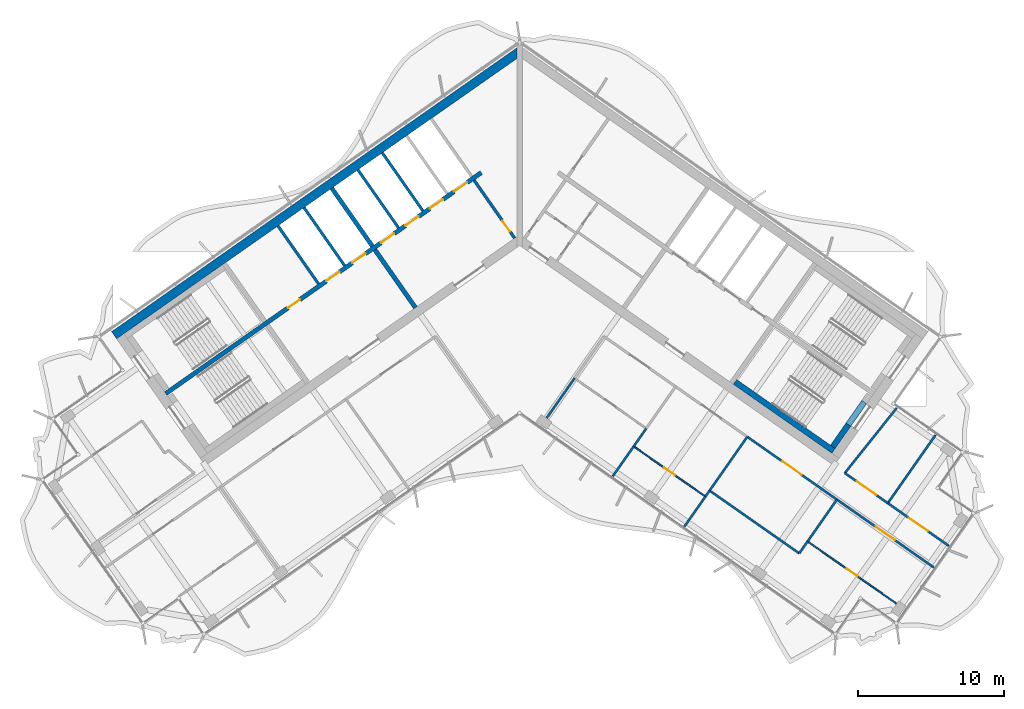
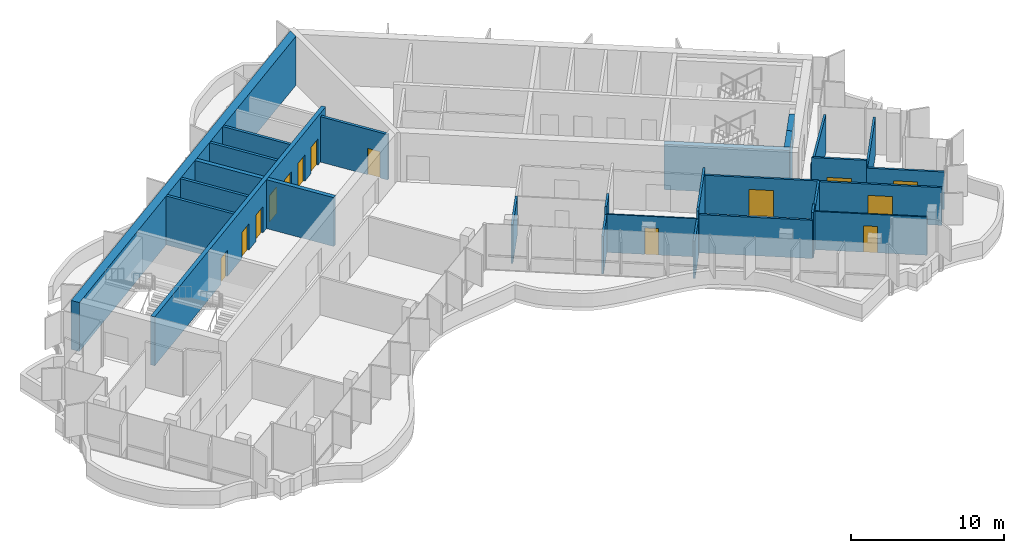
# One storey, part 10 of 18: 29 walls, 14 doors, 14 openings.
"""IFC4 building model written with IfcOpenShell, lengths in metres."""

from ifc_helpers import new_model, si_unit, direction, frame, frame_2d, origin, place, context, subcontext, project, spatial, polyline, rectangle, outline, extrude, material, layer, layer_set, type_object, element, fill, save


model = new_model("IFC4")

# Units and contexts
model_context = context("Model", 3, precision=1e-05, world=origin(), true_north=direction((0.0, 1.0)))
body_context = subcontext(model_context, "Body", "Model", "MODEL_VIEW")
ifc_project = project(units=[si_unit("LENGTHUNIT", "METRE"), si_unit("AREAUNIT", "SQUARE_METRE"), si_unit("VOLUMEUNIT", "CUBIC_METRE"), si_unit("PLANEANGLEUNIT", "RADIAN"), si_unit("MASSUNIT", "GRAM", prefix="KILO")], contexts=[model_context])

# Site, building, storey
site_placement = place(None, origin())
site = spatial("IfcSite", under=ifc_project, at=site_placement, CompositionType="ELEMENT")
building_placement = place(site_placement, origin())
building = spatial("IfcBuilding", under=site, at=building_placement, Name="Tel Ilan Convention Tower", CompositionType="ELEMENT")
storey_placement = place(building_placement, frame((0.0, 0.0, 260.5)))
storey = spatial("IfcBuildingStorey", under=building, at=storey_placement, Name="L61", CompositionType="ELEMENT", Elevation=260.5)

# Wall, opening, door
ifc_material_1 = material(Name="Concrete C30/37", Category="concrete")
ifc_layer_1 = layer(ifc_material_1, 0.199951171875)
ifc_layer_set_1 = layer_set([ifc_layer_1], Name="Core Service Room Wall 200 mm C30/37")
wall_type_1 = type_object("IfcWallType", Name="Core Service Room Wall 200 mm C30/37", PredefinedType="SOLIDWALL", material=ifc_layer_set_1)
wall_1_placement = place(storey_placement, frame((-0.343994140625, -0.729248046875, 0.0), z_axis=(0.0, 0.0, 1.0), x_axis=(-0.573560315113, 0.819163332265, 0.0)))
wall_1 = element("IfcWall", 1, at=wall_1_placement, inside=storey, type_object=wall_type_1, Name="L61 core wall apex-W", PredefinedType="SOLIDWALL", context=body_context, shape_type="SweptSolid", body=[
    extrude(rectangle(XDim=4.849853515625, YDim=0.199951171875, at=frame_2d((2.4248046875, 0.0))), origin(), (0.0, 0.0, 1.0), 3.6201171875),
])
opening_1_placement = place(wall_1_placement, frame((0.550048828125, 0.0, 0.0)))
opening_1 = element("IfcOpeningElement", 2, at=opening_1_placement, cuts=wall_1, Name="Opening CD4602", PredefinedType="OPENING", context=body_context, shape_type="SweptSolid", body=[
    extrude(rectangle(XDim=0.89990234375, YDim=2.10009765625, at=frame_2d((0.449951171875, 1.050048828125))), frame((0.0, 0.10986328125, 0.0), z_axis=(0.0, -1.0, 0.0), x_axis=(1.0, 0.0, 0.0)), (0.0, 0.0, 1.0), 0.219970703125),
])
ifc_material_2 = material(Name="Galvanised Steel Door Leaf", Category="steel")
door_type_1 = type_object("IfcDoorType", Name="Service Room Door 900 x 2100 FD60", OperationType="NOTDEFINED", PredefinedType="DOOR", material=ifc_material_2)
door_1_placement = place(opening_1_placement, origin())
door_1 = element("IfcDoor", 3, at=door_1_placement, inside=storey, type_object=door_type_1, Name="Electrical Room door", OperationType="SINGLE_SWING_RIGHT", OverallHeight=2.10009765625, OverallWidth=0.89990234375, PredefinedType="DOOR", context=body_context, shape_type="SweptSolid", body=[
    extrude(rectangle(XDim=0.89990234375, YDim=2.10009765625, at=frame_2d((0.449951171875, 1.050048828125))), frame((0.0, 0.02490234375, 0.0), z_axis=(0.0, -1.0, 0.0), x_axis=(1.0, 0.0, 0.0)), (0.0, 0.0, 1.0), 0.050048828125),
])
fill(opening_1, door_1)

# Walls
ifc_material_3 = material(Name="Concrete C40/50", Category="concrete")
ifc_layer_2 = layer(ifc_material_3, 0.300048828125)
ifc_layer_set_2 = layer_set([ifc_layer_2], Name="Core Shear Wall 300 mm C40/50")
wall_type_2 = type_object("IfcWallType", Name="Core Shear Wall 300 mm C40/50", PredefinedType="SHEAR", material=ifc_layer_set_2)
wall_2_placement = place(storey_placement, frame((-7.142822265625, -5.48974609375, 0.0), z_axis=(0.0, 0.0, 1.0), x_axis=(-0.573617744349, 0.819123118565, 0.0)))
element("IfcWall", 4, at=wall_2_placement, inside=storey, type_object=wall_type_2, Name="L61 core wall W-cross1-1", PredefinedType="SHEAR", context=body_context, shape_type="SweptSolid", body=[
    extrude(outline(polyline([(4.85009765625, 0.14990234375), (0.0, 0.150146484375), (0.0, -0.14990234375), (4.85009765625, -0.150146484375), (4.85009765625, 0.14990234375)])), origin(), (0.0, 0.0, 1.0), 3.89990234375),
])
wall_3_placement = place(storey_placement, frame((-10.096923828125, -1.271240234375, 0.0), z_axis=(0.0, 0.0, 1.0), x_axis=(-0.573560315113, 0.819163332265, 0.0)))
element("IfcWall", 5, at=wall_3_placement, inside=storey, type_object=wall_type_2, Name="L61 core wall W-cross1-2", PredefinedType="SHEAR", context=body_context, shape_type="SweptSolid", body=[
    extrude(outline(polyline([(4.849853515625, -0.14990234375), (4.849853515625, 0.150146484375), (0.0, 0.14990234375), (0.0, -0.150146484375), (4.849853515625, -0.14990234375)])), origin(), (0.0, 0.0, 1.0), 3.89990234375),
])

# Wall, openings, doors
wall_4_placement = place(storey_placement, frame((-2.638427734375, 3.76806640625, 0.0), z_axis=(0.0, 0.0, 1.0), x_axis=(-0.819155014212, -0.573572194837, 0.0)))
wall_4 = element("IfcWall", 6, at=wall_4_placement, inside=storey, type_object=wall_type_2, Name="L61 core wall W-spine", PredefinedType="SHEAR", context=body_context, shape_type="SweptSolid", body=[
    extrude(outline(polyline([(26.39990234375, 0.150146484375), (0.0, 0.14990234375), (0.0, -0.150146484375), (26.39990234375, -0.14990234375), (26.39990234375, 0.150146484375)])), origin(), (0.0, 0.0, 1.0), 3.89990234375),
])
opening_2_placement = place(wall_4_placement, frame((1.168701171875, 0.0, 0.0)))
opening_2 = element("IfcOpeningElement", 7, at=opening_2_placement, cuts=wall_4, Name="Opening LD4604", PredefinedType="OPENING", context=body_context, shape_type="SweptSolid", body=[
    extrude(rectangle(XDim=1.10009765625, YDim=2.10009765625, at=frame_2d((0.550048828125, 1.050048828125))), frame((0.0, 0.159912109375, 0.0), z_axis=(0.0, -1.0, 0.0), x_axis=(1.0, 0.0, 0.0)), (0.0, 0.0, 1.0), 0.320068359375),
])
opening_3_placement = place(wall_4_placement, frame((3.206298828125, 0.0, 0.0)))
opening_3 = element("IfcOpeningElement", 8, at=opening_3_placement, cuts=wall_4, Name="Opening LD4605", PredefinedType="OPENING", context=body_context, shape_type="SweptSolid", body=[
    extrude(rectangle(XDim=1.10009765625, YDim=2.10009765625, at=frame_2d((0.550048828125, 1.050048828125))), frame((0.0, 0.159912109375, 0.0), z_axis=(0.0, -1.0, 0.0), x_axis=(1.0, 0.0, 0.0)), (0.0, 0.0, 1.0), 0.320068359375),
])
opening_4_placement = place(wall_4_placement, frame((5.24365234375, 0.0, 0.0)))
opening_4 = element("IfcOpeningElement", 9, at=opening_4_placement, cuts=wall_4, Name="Opening LD4606", PredefinedType="OPENING", context=body_context, shape_type="SweptSolid", body=[
    extrude(rectangle(XDim=1.10009765625, YDim=2.10009765625, at=frame_2d((0.550048828125, 1.050048828125))), frame((0.0, 0.159912109375, 0.0), z_axis=(0.0, -1.0, 0.0), x_axis=(1.0, 0.0, 0.0)), (0.0, 0.0, 1.0), 0.320068359375),
])
opening_5_placement = place(wall_4_placement, frame((7.28125, 0.0, 0.0)))
opening_5 = element("IfcOpeningElement", 10, at=opening_5_placement, cuts=wall_4, Name="Opening LD4607", PredefinedType="OPENING", context=body_context, shape_type="SweptSolid", body=[
    extrude(rectangle(XDim=1.10009765625, YDim=2.10009765625, at=frame_2d((0.550048828125, 1.050048828125))), frame((0.0, 0.159912109375, 0.0), z_axis=(0.0, -1.0, 0.0), x_axis=(1.0, 0.0, 0.0)), (0.0, 0.0, 1.0), 0.320068359375),
])
opening_6_placement = place(wall_4_placement, frame((9.6875, 0.0, 0.0)))
opening_6 = element("IfcOpeningElement", 11, at=opening_6_placement, cuts=wall_4, Name="Opening LD4608", PredefinedType="OPENING", context=body_context, shape_type="SweptSolid", body=[
    extrude(rectangle(XDim=1.10009765625, YDim=2.10009765625, at=frame_2d((0.550048828125, 1.050048828125))), frame((0.0, 0.159912109375, 0.0), z_axis=(0.0, -1.0, 0.0), x_axis=(1.0, 0.0, 0.0)), (0.0, 0.0, 1.0), 0.320068359375),
])
opening_7_placement = place(wall_4_placement, frame((11.862548828125, 0.0, 0.0)))
opening_7 = element("IfcOpeningElement", 12, at=opening_7_placement, cuts=wall_4, Name="Opening LD4609", PredefinedType="OPENING", context=body_context, shape_type="SweptSolid", body=[
    extrude(rectangle(XDim=1.10009765625, YDim=2.10009765625, at=frame_2d((0.550048828125, 1.050048828125))), frame((0.0, 0.159912109375, 0.0), z_axis=(0.0, -1.0, 0.0), x_axis=(1.0, 0.0, 0.0)), (0.0, 0.0, 1.0), 0.320068359375),
])
opening_8_placement = place(wall_4_placement, frame((15.175048828125, 0.0, 0.0)))
opening_8 = element("IfcOpeningElement", 13, at=opening_8_placement, cuts=wall_4, Name="Opening CD4609", PredefinedType="OPENING", context=body_context, shape_type="SweptSolid", body=[
    extrude(rectangle(XDim=1.0, YDim=2.10009765625, at=frame_2d((0.5, 1.050048828125))), frame((0.0, 0.159912109375, 0.0), z_axis=(0.0, -1.0, 0.0), x_axis=(1.0, 0.0, 0.0)), (0.0, 0.0, 1.0), 0.320068359375),
])
ifc_material_4 = material(Name="Stainless Steel Sliding Door Leaf", Category="steel")
door_type_2 = type_object("IfcDoorType", Name="Lift Landing Door 1100 x 2100 FD120", OperationType="NOTDEFINED", PredefinedType="DOOR", material=ifc_material_4)
door_2_placement = place(opening_2_placement, origin())
door_2 = element("IfcDoor", 14, at=door_2_placement, inside=storey, type_object=door_type_2, Name="Lift HR1 landing door", OperationType="SLIDING_TO_LEFT", OverallHeight=2.10009765625, OverallWidth=1.10009765625, PredefinedType="DOOR", context=body_context, shape_type="SweptSolid", body=[
    extrude(rectangle(XDim=1.10009765625, YDim=2.10009765625, at=frame_2d((0.550048828125, 1.050048828125))), frame((0.0, 0.02490234375, 0.0), z_axis=(0.0, -1.0, 0.0), x_axis=(1.0, 0.0, 0.0)), (0.0, 0.0, 1.0), 0.050048828125),
])
fill(opening_2, door_2)
door_3_placement = place(opening_3_placement, origin())
door_3 = element("IfcDoor", 15, at=door_3_placement, inside=storey, type_object=door_type_2, Name="Lift HR2 landing door", OperationType="SLIDING_TO_RIGHT", OverallHeight=2.10009765625, OverallWidth=1.10009765625, PredefinedType="DOOR", context=body_context, shape_type="SweptSolid", body=[
    extrude(rectangle(XDim=1.10009765625, YDim=2.10009765625, at=frame_2d((0.550048828125, 1.050048828125))), frame((0.0, 0.02490234375, 0.0), z_axis=(0.0, -1.0, 0.0), x_axis=(1.0, 0.0, 0.0)), (0.0, 0.0, 1.0), 0.050048828125),
])
fill(opening_3, door_3)
door_4_placement = place(opening_4_placement, origin())
door_4 = element("IfcDoor", 16, at=door_4_placement, inside=storey, type_object=door_type_2, Name="Lift HR3 landing door", OperationType="SLIDING_TO_LEFT", OverallHeight=2.10009765625, OverallWidth=1.10009765625, PredefinedType="DOOR", context=body_context, shape_type="SweptSolid", body=[
    extrude(rectangle(XDim=1.10009765625, YDim=2.10009765625, at=frame_2d((0.550048828125, 1.050048828125))), frame((0.0, 0.02490234375, 0.0), z_axis=(0.0, -1.0, 0.0), x_axis=(1.0, 0.0, 0.0)), (0.0, 0.0, 1.0), 0.050048828125),
])
fill(opening_4, door_4)
door_5_placement = place(opening_5_placement, origin())
door_5 = element("IfcDoor", 17, at=door_5_placement, inside=storey, type_object=door_type_2, Name="Lift HR4 landing door", OperationType="SLIDING_TO_RIGHT", OverallHeight=2.10009765625, OverallWidth=1.10009765625, PredefinedType="DOOR", context=body_context, shape_type="SweptSolid", body=[
    extrude(rectangle(XDim=1.10009765625, YDim=2.10009765625, at=frame_2d((0.550048828125, 1.050048828125))), frame((0.0, 0.02490234375, 0.0), z_axis=(0.0, -1.0, 0.0), x_axis=(1.0, 0.0, 0.0)), (0.0, 0.0, 1.0), 0.050048828125),
])
fill(opening_5, door_5)
door_6_placement = place(opening_6_placement, origin())
door_6 = element("IfcDoor", 18, at=door_6_placement, inside=storey, type_object=door_type_2, Name="Lift HR5 landing door", OperationType="SLIDING_TO_LEFT", OverallHeight=2.10009765625, OverallWidth=1.10009765625, PredefinedType="DOOR", context=body_context, shape_type="SweptSolid", body=[
    extrude(rectangle(XDim=1.10009765625, YDim=2.10009765625, at=frame_2d((0.550048828125, 1.050048828125))), frame((0.0, 0.02490234375, 0.0), z_axis=(0.0, -1.0, 0.0), x_axis=(1.0, 0.0, 0.0)), (0.0, 0.0, 1.0), 0.050048828125),
])
fill(opening_6, door_6)
door_7_placement = place(opening_7_placement, origin())
door_7 = element("IfcDoor", 19, at=door_7_placement, inside=storey, type_object=door_type_2, Name="Lift HR6 landing door", OperationType="SLIDING_TO_RIGHT", OverallHeight=2.10009765625, OverallWidth=1.10009765625, PredefinedType="DOOR", context=body_context, shape_type="SweptSolid", body=[
    extrude(rectangle(XDim=1.10009765625, YDim=2.10009765625, at=frame_2d((0.550048828125, 1.050048828125))), frame((0.0, 0.02490234375, 0.0), z_axis=(0.0, -1.0, 0.0), x_axis=(1.0, 0.0, 0.0)), (0.0, 0.0, 1.0), 0.050048828125),
])
fill(opening_7, door_7)
ifc_material_5 = material(Name="Galvanised Steel Door Leaf", Category="steel")
door_type_3 = type_object("IfcDoorType", Name="Service Room Door 1000 x 2100 FD60", OperationType="NOTDEFINED", PredefinedType="DOOR", material=ifc_material_5)
door_8_placement = place(opening_8_placement, origin())
door_8 = element("IfcDoor", 20, at=door_8_placement, inside=storey, type_object=door_type_3, Name="Plant Room door", OperationType="SINGLE_SWING_RIGHT", OverallHeight=2.10009765625, OverallWidth=1.0, PredefinedType="DOOR", context=body_context, shape_type="SweptSolid", body=[
    extrude(rectangle(XDim=1.0, YDim=2.10009765625, at=frame_2d((0.5, 1.050048828125))), frame((0.0, 0.02490234375, 0.0), z_axis=(0.0, -1.0, 0.0), x_axis=(1.0, 0.0, 0.0)), (0.0, 0.0, 1.0), 0.050048828125),
])
fill(opening_8, door_8)

# Wall
ifc_material_6 = material(Name="Concrete C40/50", Category="concrete")
ifc_layer_3 = layer(ifc_material_6, 0.60009765625)
ifc_layer_set_3 = layer_set([ifc_layer_3], Name="Core Shear Wall 600 mm C40/50")
wall_type_3 = type_object("IfcWallType", Name="Core Shear Wall 600 mm C40/50", PredefinedType="SHEAR", material=ifc_layer_set_3)
wall_5_placement = place(storey_placement, frame((-0.02783203125, 12.066162109375, 0.0), z_axis=(0.0, 0.0, 1.0), x_axis=(-0.819151382952, -0.573577380837, 0.0)))
element("IfcWall", 21, at=wall_5_placement, inside=storey, type_object=wall_type_3, Name="L61 core wall W-back", PredefinedType="SHEAR", context=body_context, shape_type="SweptSolid", body=[
    extrude(outline(polyline([(33.89794921875, 0.300048828125), (0.420166015625, 0.300048828125), (0.0, -0.300048828125), (33.898193359375, -0.300048828125), (33.89794921875, 0.300048828125)])), origin(), (0.0, 0.0, 1.0), 3.89990234375),
])

# Wall, opening, door
ifc_material_7 = material(Name="Plasterboard on Steel Studs", Category="steel")
ifc_layer_4 = layer(ifc_material_7, 0.14990234375)
ifc_layer_set_4 = layer_set([ifc_layer_4], Name="Fire-rated Partition 150 EI 60")
wall_type_4 = type_object("IfcWallType", Name="Fire-rated Partition 150 EI 60", PredefinedType="PARTITIONING", material=ifc_layer_set_4)
wall_6_placement = place(storey_placement, frame((22.280517578125, -16.82177734375, 0.0), z_axis=(0.0, 0.0, 1.0), x_axis=(0.819165052243, -0.573557858619, 0.0)))
wall_6 = element("IfcWall", 22, at=wall_6_placement, inside=storey, type_object=wall_type_4, Name="Partition 001", PredefinedType="PARTITIONING", context=body_context, shape_type="SweptSolid", body=[
    extrude(rectangle(XDim=3.602294921875, YDim=0.14990234375, at=frame_2d((1.80126953125, 0.0))), origin(), (0.0, 0.0, 1.0), 3.6201171875),
])
opening_9_placement = place(wall_6_placement, frame((1.001220703125, 0.0, 0.0)))
opening_9 = element("IfcOpeningElement", 23, at=opening_9_placement, cuts=wall_6, Name="Opening L59-014", PredefinedType="OPENING", context=body_context, shape_type="SweptSolid", body=[
    extrude(rectangle(XDim=1.60009765625, YDim=2.10009765625, at=frame_2d((0.800048828125, 1.050048828125))), frame((0.0, 0.0849609375, 0.0), z_axis=(0.0, -1.0, 0.0), x_axis=(1.0, 0.0, 0.0)), (0.0, 0.0, 1.0), 0.169921875),
])
ifc_material_8 = material(Name="Timber Door Leaf in Steel Frame", Category="steel")
door_type_4 = type_object("IfcDoorType", Name="Tenant Suite Entrance Fire Door 1600x2100", OperationType="NOTDEFINED", PredefinedType="DOOR", material=ifc_material_8)
door_9_placement = place(opening_9_placement, origin())
door_9 = element("IfcDoor", 24, at=door_9_placement, inside=storey, type_object=door_type_4, Name="Door L59-014", OperationType="DOUBLE_DOOR_SINGLE_SWING", OverallHeight=2.10009765625, OverallWidth=1.60009765625, PredefinedType="DOOR", context=body_context, shape_type="SweptSolid", body=[
    extrude(rectangle(XDim=1.60009765625, YDim=2.10009765625, at=frame_2d((0.800048828125, 1.050048828125))), frame((0.0, 0.02490234375, 0.0), z_axis=(0.0, -1.0, 0.0), x_axis=(1.0, 0.0, 0.0)), (0.0, 0.0, 1.0), 0.050048828125),
])
fill(opening_9, door_9)

wall_7_placement = place(storey_placement, frame((25.22802734375, -18.8857421875, 0.0), z_axis=(0.0, 0.0, 1.0), x_axis=(0.819171218287, -0.57354905207, 0.0)))
wall_7 = element("IfcWall", 25, at=wall_7_placement, inside=storey, type_object=wall_type_4, Name="Partition 002", PredefinedType="PARTITIONING", context=body_context, shape_type="SweptSolid", body=[
    extrude(rectangle(XDim=5.10205078125, YDim=0.14990234375, at=frame_2d((2.551025390625, 0.0))), origin(), (0.0, 0.0, 1.0), 3.0),
])
opening_10_placement = place(wall_7_placement, frame((1.7509765625, 0.0, 0.0)))
opening_10 = element("IfcOpeningElement", 26, at=opening_10_placement, cuts=wall_7, Name="Opening L59-015", PredefinedType="OPENING", context=body_context, shape_type="SweptSolid", body=[
    extrude(rectangle(XDim=1.60009765625, YDim=2.10009765625, at=frame_2d((0.800048828125, 1.050048828125))), frame((0.0, 0.0849609375, 0.0), z_axis=(0.0, -1.0, 0.0), x_axis=(1.0, 0.0, 0.0)), (0.0, 0.0, 1.0), 0.169921875),
])
door_10_placement = place(opening_10_placement, origin())
door_10 = element("IfcDoor", 27, at=door_10_placement, inside=storey, type_object=door_type_4, Name="Door L59-015", OperationType="DOUBLE_DOOR_SINGLE_SWING", OverallHeight=2.10009765625, OverallWidth=1.60009765625, PredefinedType="DOOR", context=body_context, shape_type="SweptSolid", body=[
    extrude(rectangle(XDim=1.60009765625, YDim=2.10009765625, at=frame_2d((0.800048828125, 1.050048828125))), frame((0.0, 0.02490234375, 0.0), z_axis=(0.0, -1.0, 0.0), x_axis=(1.0, 0.0, 0.0)), (0.0, 0.0, 1.0), 0.050048828125),
])
fill(opening_10, door_10)

wall_8_placement = place(storey_placement, frame((21.741455078125, -18.6416015625, 0.0), z_axis=(0.0, 0.0, 1.0), x_axis=(-0.819164661457, 0.573558416746, 0.0)))
wall_8 = element("IfcWall", 28, at=wall_8_placement, inside=storey, type_object=wall_type_4, Name="Partition 005", PredefinedType="PARTITIONING", context=body_context, shape_type="SweptSolid", body=[
    extrude(rectangle(XDim=7.50390625, YDim=0.14990234375, at=frame_2d((3.751953125, 0.0))), origin(), (0.0, 0.0, 1.0), 3.050048828125),
])
opening_11_placement = place(wall_8_placement, frame((2.951904296875, 0.0, 0.0)))
opening_11 = element("IfcOpeningElement", 29, at=opening_11_placement, cuts=wall_8, Name="Opening L59-011", PredefinedType="OPENING", context=body_context, shape_type="SweptSolid", body=[
    extrude(rectangle(XDim=1.60009765625, YDim=2.10009765625, at=frame_2d((0.800048828125, 1.050048828125))), frame((0.0, 0.0849609375, 0.0), z_axis=(0.0, -1.0, 0.0), x_axis=(1.0, 0.0, 0.0)), (0.0, 0.0, 1.0), 0.169921875),
])
door_11_placement = place(opening_11_placement, origin())
door_11 = element("IfcDoor", 30, at=door_11_placement, inside=storey, type_object=door_type_4, Name="Door L59-011", OperationType="DOUBLE_DOOR_SINGLE_SWING", OverallHeight=2.10009765625, OverallWidth=1.60009765625, PredefinedType="DOOR", context=body_context, shape_type="SweptSolid", body=[
    extrude(rectangle(XDim=1.60009765625, YDim=2.10009765625, at=frame_2d((0.800048828125, 1.050048828125))), frame((0.0, 0.02490234375, 0.0), z_axis=(0.0, -1.0, 0.0), x_axis=(1.0, 0.0, 0.0)), (0.0, 0.0, 1.0), 0.050048828125),
])
fill(opening_11, door_11)

wall_9_placement = place(storey_placement, frame((28.375, -23.28662109375, 0.0), z_axis=(0.0, 0.0, 1.0), x_axis=(-0.819144140048, 0.573587724611, 0.0)))
wall_9 = element("IfcWall", 31, at=wall_9_placement, inside=storey, type_object=wall_type_4, Name="Partition 006", PredefinedType="PARTITIONING", context=body_context, shape_type="SweptSolid", body=[
    extrude(rectangle(XDim=8.10205078125, YDim=0.14990234375, at=frame_2d((4.051025390625, 0.0))), origin(), (0.0, 0.0, 1.0), 3.0),
])
opening_12_placement = place(wall_9_placement, frame((3.2509765625, 0.0, 0.0)))
opening_12 = element("IfcOpeningElement", 32, at=opening_12_placement, cuts=wall_9, Name="Opening L59-012", PredefinedType="OPENING", context=body_context, shape_type="SweptSolid", body=[
    extrude(rectangle(XDim=1.60009765625, YDim=2.10009765625, at=frame_2d((0.800048828125, 1.050048828125))), frame((0.0, 0.0849609375, 0.0), z_axis=(0.0, -1.0, 0.0), x_axis=(1.0, 0.0, 0.0)), (0.0, 0.0, 1.0), 0.169921875),
])
door_12_placement = place(opening_12_placement, origin())
door_12 = element("IfcDoor", 33, at=door_12_placement, inside=storey, type_object=door_type_4, Name="Door L59-012", OperationType="DOUBLE_DOOR_SINGLE_SWING", OverallHeight=2.10009765625, OverallWidth=1.60009765625, PredefinedType="DOOR", context=body_context, shape_type="SweptSolid", body=[
    extrude(rectangle(XDim=1.60009765625, YDim=2.10009765625, at=frame_2d((0.800048828125, 1.050048828125))), frame((0.0, 0.02490234375, 0.0), z_axis=(0.0, -1.0, 0.0), x_axis=(1.0, 0.0, 0.0)), (0.0, 0.0, 1.0), 0.050048828125),
])
fill(opening_12, door_12)

# Walls
wall_10_placement = place(storey_placement, frame((28.4990234375, -14.217529296875, 0.0), z_axis=(0.0, 0.0, 1.0), x_axis=(-0.573562952056, -0.819161485929, 0.0)))
element("IfcWall", 34, at=wall_10_placement, inside=storey, type_object=wall_type_4, Name="Partition 011", PredefinedType="PARTITIONING", context=body_context, shape_type="SweptSolid", body=[
    extrude(rectangle(XDim=5.699951171875, YDim=0.14990234375, at=frame_2d((2.85009765625, 0.0))), origin(), (0.0, 0.0, 1.0), 3.050048828125),
])
wall_11_placement = place(storey_placement, frame((22.2822265625, -16.822998046875, 0.0), z_axis=(0.0, 0.0, 1.0), x_axis=(0.623563137477, 0.781772993637, 0.0)))
element("IfcWall", 35, at=wall_11_placement, inside=storey, type_object=wall_type_4, Name="Partition 012", PredefinedType="PARTITIONING", context=body_context, shape_type="SweptSolid", body=[
    extrude(rectangle(XDim=5.711181640625, YDim=0.14990234375, at=frame_2d((2.85546875, 0.0))), origin(), (0.0, 0.0, 1.0), 3.050048828125),
])
wall_12_placement = place(storey_placement, frame((7.81396484375, -14.9921875, 0.0), z_axis=(0.0, 0.0, 1.0), x_axis=(-0.57356715775, -0.819158541157, 0.0)))
element("IfcWall", 36, at=wall_12_placement, inside=storey, type_object=wall_type_4, Name="Partition 014", PredefinedType="PARTITIONING", context=body_context, shape_type="SweptSolid", body=[
    extrude(rectangle(XDim=2.501220703125, YDim=0.14990234375, at=frame_2d((1.25048828125, 0.0))), origin(), (0.0, 0.0, 1.0), 3.0),
])
wall_13_placement = place(storey_placement, frame((8.673095703125, -13.76513671875, 0.0), z_axis=(0.0, 0.0, 1.0), x_axis=(-0.573549676934, -0.819170780783, 0.0)))
element("IfcWall", 37, at=wall_13_placement, inside=storey, type_object=wall_type_4, Name="Partition 015", PredefinedType="PARTITIONING", context=body_context, shape_type="SweptSolid", body=[
    extrude(rectangle(XDim=1.5009765625, YDim=0.14990234375, at=frame_2d((0.75048828125, 0.0))), origin(), (0.0, 0.0, 1.0), 3.6201171875),
])
wall_14_placement = place(storey_placement, frame((1.848876953125, -13.050537109375, 0.0), z_axis=(0.0, 0.0, 1.0), x_axis=(0.573595235521, 0.819138880647, 0.0)))
element("IfcWall", 38, at=wall_14_placement, inside=storey, type_object=wall_type_4, Name="Partition 016", PredefinedType="PARTITIONING", context=body_context, shape_type="SweptSolid", body=[
    extrude(rectangle(XDim=3.328857421875, YDim=0.14990234375, at=frame_2d((1.66455078125, 0.0))), origin(), (0.0, 0.0, 1.0), 3.050048828125),
])
wall_15_placement = place(storey_placement, frame((12.727783203125, -18.435302734375, 0.0), z_axis=(0.0, 0.0, 1.0), x_axis=(-0.573560689761, -0.819163069945, 0.0)))
element("IfcWall", 39, at=wall_15_placement, inside=storey, type_object=wall_type_4, Name="Partition 020", PredefinedType="PARTITIONING", context=body_context, shape_type="SweptSolid", body=[
    extrude(rectangle(XDim=2.4990234375, YDim=0.14990234375, at=frame_2d((1.24951171875, 0.0))), origin(), (0.0, 0.0, 1.0), 3.0),
])
wall_16_placement = place(storey_placement, frame((15.59619140625, -14.338623046875, 0.0), z_axis=(0.0, 0.0, 1.0), x_axis=(-0.573564243949, -0.819160581365, 0.0)))
element("IfcWall", 40, at=wall_16_placement, inside=storey, type_object=wall_type_4, Name="Partition 021", PredefinedType="PARTITIONING", context=body_context, shape_type="SweptSolid", body=[
    extrude(rectangle(XDim=4.502197265625, YDim=0.14990234375, at=frame_2d((2.2509765625, 0.0))), origin(), (0.0, 0.0, 1.0), 3.6201171875),
])
wall_17_placement = place(storey_placement, frame((13.015625, -18.024169921875, 0.0), z_axis=(0.0, 0.0, 1.0), x_axis=(-0.573560455774, -0.819163233777, 0.0)))
element("IfcWall", 41, at=wall_17_placement, inside=storey, type_object=wall_type_4, Name="Partition 022", PredefinedType="PARTITIONING", context=body_context, shape_type="SweptSolid", body=[
    extrude(rectangle(XDim=0.5009765625, YDim=0.14990234375, at=frame_2d((0.25048828125, 0.0))), origin(), (0.0, 0.0, 1.0), 3.6201171875),
])
wall_18_placement = place(storey_placement, frame((19.73291015625, -21.5068359375, 0.0), z_axis=(0.0, 0.0, 1.0), x_axis=(-0.573691505171, -0.819071460188, 0.0)))
element("IfcWall", 42, at=wall_18_placement, inside=storey, type_object=wall_type_4, Name="Partition 023", PredefinedType="PARTITIONING", context=body_context, shape_type="SweptSolid", body=[
    extrude(rectangle(XDim=1.0009765625, YDim=0.14990234375, at=frame_2d((0.50048828125, 0.0))), origin(), (0.0, 0.0, 1.0), 3.6201171875),
])
wall_19_placement = place(storey_placement, frame((19.15869140625, -22.32666015625, 0.0), z_axis=(0.0, 0.0, 1.0), x_axis=(-0.81915238829, 0.573575945067, 0.0)))
element("IfcWall", 43, at=wall_19_placement, inside=storey, type_object=wall_type_4, Name="Partition 024", PredefinedType="PARTITIONING", context=body_context, shape_type="SweptSolid", body=[
    extrude(rectangle(XDim=7.5, YDim=0.14990234375, at=frame_2d((3.75, 0.0))), origin(), (0.0, 0.0, 1.0), 3.050048828125),
])
wall_20_placement = place(storey_placement, frame((21.73974609375, -18.640625, 0.0), z_axis=(0.0, 0.0, 1.0), x_axis=(-0.573555919535, -0.819166409935, 0.0)))
element("IfcWall", 44, at=wall_20_placement, inside=storey, type_object=wall_type_4, Name="Partition 025", PredefinedType="PARTITIONING", context=body_context, shape_type="SweptSolid", body=[
    extrude(rectangle(XDim=3.501953125, YDim=0.14990234375, at=frame_2d((1.7509765625, 0.0))), origin(), (0.0, 0.0, 1.0), 3.050048828125),
])
ifc_material_9 = material(Name="Concrete C30/37", Category="concrete")
ifc_layer_5 = layer(ifc_material_9, 0.199951171875)
ifc_layer_set_5 = layer_set([ifc_layer_5], Name="Lift Shaft Wall 200 mm C30/37")
wall_type_5 = type_object("IfcWallType", Name="Lift Shaft Wall 200 mm C30/37", PredefinedType="SOLIDWALL", material=ifc_layer_set_5)
wall_21_placement = place(storey_placement, frame((-6.635986328125, 1.152099609375, 0.0), z_axis=(0.0, 0.0, 1.0), x_axis=(-0.573560315113, 0.819163332265, 0.0)))
element("IfcWall", 45, at=wall_21_placement, inside=storey, type_object=wall_type_5, Name="L61 core wall bank-W1-p1", PredefinedType="SOLIDWALL", context=body_context, shape_type="SweptSolid", body=[
    extrude(rectangle(XDim=4.849853515625, YDim=0.199951171875, at=frame_2d((2.4248046875, 0.0))), origin(), (0.0, 0.0, 1.0), 3.89990234375),
])
wall_22_placement = place(storey_placement, frame((-8.304931640625, -0.0166015625, 0.0), z_axis=(0.0, 0.0, 1.0), x_axis=(-0.573594092424, 0.81913968109, 0.0)))
element("IfcWall", 46, at=wall_22_placement, inside=storey, type_object=wall_type_5, Name="L61 core wall bank-W1-p2", PredefinedType="SOLIDWALL", context=body_context, shape_type="SweptSolid", body=[
    extrude(rectangle(XDim=4.85009765625, YDim=0.199951171875, at=frame_2d((2.425048828125, 0.0))), origin(), (0.0, 0.0, 1.0), 3.89990234375),
])
wall_23_placement = place(storey_placement, frame((-12.00146484375, -2.604736328125, 0.0), z_axis=(0.0, 0.0, 1.0), x_axis=(-0.573560315113, 0.819163332265, 0.0)))
element("IfcWall", 47, at=wall_23_placement, inside=storey, type_object=wall_type_5, Name="L61 core wall bank-W2-p0", PredefinedType="SOLIDWALL", context=body_context, shape_type="SweptSolid", body=[
    extrude(rectangle(XDim=4.849853515625, YDim=0.199951171875, at=frame_2d((2.4248046875, 0.0))), origin(), (0.0, 0.0, 1.0), 3.89990234375),
])
wall_24_placement = place(storey_placement, frame((-13.782958984375, -3.852294921875, 0.0), z_axis=(0.0, 0.0, 1.0), x_axis=(-0.573594092424, 0.81913968109, 0.0)))
element("IfcWall", 48, at=wall_24_placement, inside=storey, type_object=wall_type_5, Name="L61 core wall bank-W2-p1", PredefinedType="SOLIDWALL", context=body_context, shape_type="SweptSolid", body=[
    extrude(rectangle(XDim=4.85009765625, YDim=0.199951171875, at=frame_2d((2.425048828125, 0.0))), origin(), (0.0, 0.0, 1.0), 3.89990234375),
])

# Wall, opening, door
ifc_material_10 = material(Name="Plasterboard on Steel Studs", Category="steel")
ifc_layer_6 = layer(ifc_material_10, 0.10009765625)
ifc_layer_set_6 = layer_set([ifc_layer_6], Name="Plasterboard Partition 100")
wall_type_6 = type_object("IfcWallType", Name="Plasterboard Partition 100", PredefinedType="PARTITIONING", material=ifc_layer_set_6)
wall_25_placement = place(storey_placement, frame((12.727783203125, -18.435302734375, 0.0), z_axis=(0.0, 0.0, 1.0), x_axis=(-0.819163097304, 0.573560650686, 0.0)))
wall_25 = element("IfcWall", 49, at=wall_25_placement, inside=storey, type_object=wall_type_6, Name="Partition 019", PredefinedType="PARTITIONING", context=body_context, shape_type="SweptSolid", body=[
    extrude(rectangle(XDim=6.0, YDim=0.10009765625, at=frame_2d((3.0, 0.0))), origin(), (0.0, 0.0, 1.0), 3.050048828125),
])
opening_13_placement = place(wall_25_placement, frame((2.550048828125, 0.0, 0.0)))
opening_13 = element("IfcOpeningElement", 50, at=opening_13_placement, cuts=wall_25, Name="Opening L59-010", PredefinedType="OPENING", context=body_context, shape_type="SweptSolid", body=[
    extrude(rectangle(XDim=0.89990234375, YDim=2.10009765625, at=frame_2d((0.449951171875, 1.050048828125))), frame((0.0, 0.06005859375, 0.0), z_axis=(0.0, -1.0, 0.0), x_axis=(1.0, 0.0, 0.0)), (0.0, 0.0, 1.0), 0.1201171875),
])
ifc_material_11 = material(Name="Timber Door Leaf in Steel Frame", Category="steel")
door_type_5 = type_object("IfcDoorType", Name="Room Timber Door 900x2100", OperationType="NOTDEFINED", PredefinedType="DOOR", material=ifc_material_11)
door_13_placement = place(opening_13_placement, origin())
door_13 = element("IfcDoor", 51, at=door_13_placement, inside=storey, type_object=door_type_5, Name="Door L59-010", OperationType="SINGLE_SWING_RIGHT", OverallHeight=2.10009765625, OverallWidth=0.89990234375, PredefinedType="DOOR", context=body_context, shape_type="SweptSolid", body=[
    extrude(rectangle(XDim=0.89990234375, YDim=2.10009765625, at=frame_2d((0.449951171875, 1.050048828125))), frame((0.0, 0.02490234375, 0.0), z_axis=(0.0, -1.0, 0.0), x_axis=(1.0, 0.0, 0.0)), (0.0, 0.0, 1.0), 0.050048828125),
])
fill(opening_13, door_13)

wall_26_placement = place(storey_placement, frame((25.818115234375, -25.77001953125, 0.0), z_axis=(0.0, 0.0, 1.0), x_axis=(-0.819154729426, 0.573572601559, 0.0)))
wall_26 = element("IfcWall", 52, at=wall_26_placement, inside=storey, type_object=wall_type_6, Name="Partition 026", PredefinedType="PARTITIONING", context=body_context, shape_type="SweptSolid", body=[
    extrude(rectangle(XDim=7.43017578125, YDim=0.10009765625, at=frame_2d((3.715087890625, 0.0))), origin(), (0.0, 0.0, 1.0), 3.050048828125),
])
opening_14_placement = place(wall_26_placement, frame((3.264892578125, 0.0, 0.0)))
opening_14 = element("IfcOpeningElement", 53, at=opening_14_placement, cuts=wall_26, Name="Opening L59-013", PredefinedType="OPENING", context=body_context, shape_type="SweptSolid", body=[
    extrude(rectangle(XDim=0.89990234375, YDim=2.10009765625, at=frame_2d((0.449951171875, 1.050048828125))), frame((0.0, 0.06005859375, 0.0), z_axis=(0.0, -1.0, 0.0), x_axis=(1.0, 0.0, 0.0)), (0.0, 0.0, 1.0), 0.1201171875),
])
door_14_placement = place(opening_14_placement, origin())
door_14 = element("IfcDoor", 54, at=door_14_placement, inside=storey, type_object=door_type_5, Name="Door L59-013", OperationType="SINGLE_SWING_RIGHT", OverallHeight=2.10009765625, OverallWidth=0.89990234375, PredefinedType="DOOR", context=body_context, shape_type="SweptSolid", body=[
    extrude(rectangle(XDim=0.89990234375, YDim=2.10009765625, at=frame_2d((0.449951171875, 1.050048828125))), frame((0.0, 0.02490234375, 0.0), z_axis=(0.0, -1.0, 0.0), x_axis=(1.0, 0.0, 0.0)), (0.0, 0.0, 1.0), 0.050048828125),
])
fill(opening_14, door_14)

# Walls
ifc_material_12 = material(Name="Concrete C30/37", Category="concrete")
ifc_layer_7 = layer(ifc_material_12, 0.39990234375)
ifc_layer_set_7 = layer_set([ifc_layer_7], Name="Stair and Shaft Lining Wall 400 mm C30/37")
wall_type_7 = type_object("IfcWallType", Name="Stair and Shaft Lining Wall 400 mm C30/37", PredefinedType="SOLIDWALL", material=ifc_layer_set_7)
wall_27_placement = place(storey_placement, frame((14.7529296875, -10.57421875, 0.0), z_axis=(0.0, 0.0, 1.0), x_axis=(0.819158229677, -0.573567602601, 0.0)))
element("IfcWall", 55, at=wall_27_placement, inside=storey, type_object=wall_type_7, Name="L61 core wall lining-S4-t0", PredefinedType="SOLIDWALL", context=body_context, shape_type="SweptSolid", body=[
    extrude(rectangle(XDim=8.25, YDim=0.39990234375, at=frame_2d((4.125, 0.0))), origin(), (0.0, 0.0, 1.0), 3.6201171875),
])
wall_28_placement = place(storey_placement, frame((21.4619140625, -15.027587890625, 0.0), z_axis=(0.0, 0.0, 1.0), x_axis=(0.573559770908, 0.819163713305, 0.0)))
element("IfcWall", 56, at=wall_28_placement, inside=storey, type_object=wall_type_7, Name="L61 core wall lining-S4-u1-0", PredefinedType="SOLIDWALL", context=body_context, shape_type="SweptSolid", body=[
    extrude(rectangle(XDim=1.849853515625, YDim=0.39990234375, at=frame_2d((0.9248046875, 0.0))), origin(), (0.0, 0.0, 1.0), 3.6201171875),
])
wall_29_placement = place(storey_placement, frame((22.52294921875, -13.51220703125, 2.14990234375), z_axis=(0.0, 0.0, 1.0), x_axis=(0.573591692345, 0.819141361715, 0.0)))
element("IfcWall", 57, at=wall_29_placement, inside=storey, type_object=wall_type_7, Name="L61 core wall lining-S4-u1-lintel", PredefinedType="SOLIDWALL", context=body_context, shape_type="SweptSolid", body=[
    extrude(rectangle(XDim=1.900146484375, YDim=0.39990234375, at=frame_2d((0.9501953125, 0.0))), origin(), (0.0, 0.0, 1.0), 1.47021484375),
])

save(model, "model.ifc")
